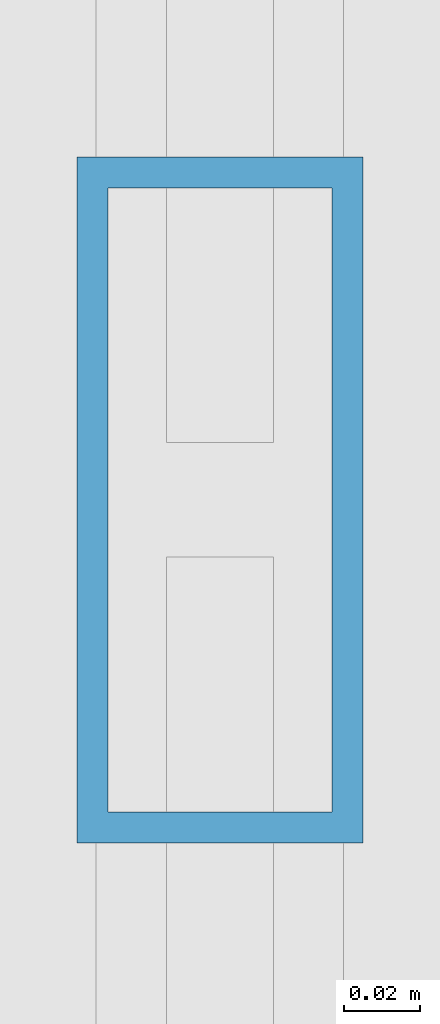
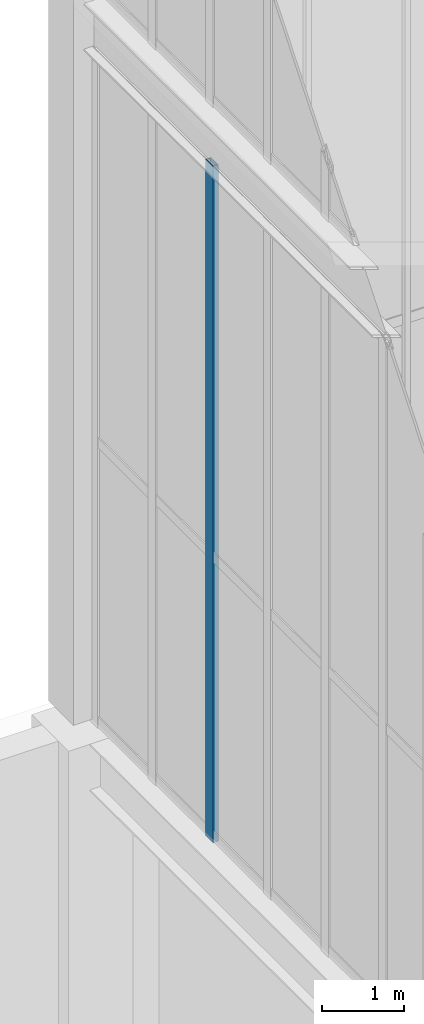
# One storey, part 101 of 135: 1 member, 1 element without a shape of its own.
"""IFC4 building model written with IfcOpenShell, lengths in metres."""

from ifc_helpers import new_model, si_unit, direction, frame, origin, origin_2d, place, context, subcontext, project, spatial, hollow_rectangle, extrude, source, transform, mapped, material, layer, layer_set, material_profile, profile_set, type_object, element, aggregate, save


model = new_model("IFC4")

# Units and contexts
model_context = context("Model", 3, precision=1e-05, world=origin(), true_north=direction((0.0, 1.0)))
body_context = subcontext(model_context, "Body", "Model", "MODEL_VIEW")
ifc_project = project(units=[si_unit("LENGTHUNIT", "METRE"), si_unit("AREAUNIT", "SQUARE_METRE"), si_unit("VOLUMEUNIT", "CUBIC_METRE"), si_unit("PLANEANGLEUNIT", "RADIAN"), si_unit("MASSUNIT", "GRAM", prefix="KILO")], contexts=[model_context])

# Site, building, storey
site_placement = place(None, origin())
site = spatial("IfcSite", under=ifc_project, at=site_placement, CompositionType="ELEMENT")
building_placement = place(site_placement, origin())
building = spatial("IfcBuilding", under=site, at=building_placement, Name="Giltprow Tower", CompositionType="ELEMENT")
storey_placement = place(building_placement, frame((0.0, 0.0, 352.699951171875)))
storey = spatial("IfcBuildingStorey", under=building, at=storey_placement, Name="L92", CompositionType="ELEMENT", Elevation=352.699951171875)

# Curtain wall, member
ifc_material = material(Name="Anodized bronze", Category="metal")
ifc_layer = layer(ifc_material, 0.179931640625, Name="Anodized bronze")
ifc_layer_set = layer_set([ifc_layer], Name="Anodized bronze")
curtain_wall_type = type_object("IfcCurtainWallType", Name="CW-CROWN-LANTERN", PredefinedType="NOTDEFINED", material=ifc_layer_set)
curtain_wall_placement = place(storey_placement, origin())
curtain_wall = element("IfcCurtainWall", 1, at=curtain_wall_placement, inside=storey, type_object=curtain_wall_type, Name="Crown East Lower Lantern Glazing 5", PredefinedType="NOTDEFINED")
ifc_material_profile = material_profile(ifc_material, hollow_rectangle(XDim=0.074951171875, YDim=0.179931640625, WallThickness=0.008056640625, at=origin_2d()), Name="RHS 180x75x8")
ifc_profile_set = profile_set([ifc_material_profile], Name="Anodized bronze")
member_type = type_object("IfcMemberType", Name="CW-MULLION-180x75", PredefinedType="MULLION", material=ifc_profile_set)
shared_shape = source(origin(), body_context, "Body", "SweptSolid", [
    extrude(hollow_rectangle(XDim=0.074951171875, YDim=0.179931640625, WallThickness=0.008056640625, at=origin_2d()), origin(), (0.0, 0.0, 1.0), 10.030029296875),
])
member_placement = place(storey_placement, frame((44.300048828125, 43.39990234375, 6.35009765625), z_axis=(0.0, 0.0, 1.0), x_axis=(1.0, 0.0, 0.0)))
member = element("IfcMember", 2, at=member_placement, type_object=member_type, Name="Crown East Lower Lantern Glazing 5 Mullion 3", PredefinedType="MULLION", context=body_context, shape_type="MappedRepresentation", body=[
    mapped(shared_shape, transform((0.0, 0.0, 0.0), x_axis=(1.0, 0.0, 0.0), y_axis=(0.0, 1.0, 0.0), z_axis=(0.0, 0.0, 1.0), scale=1.0)),
])
aggregate(curtain_wall, [member])

save(model, "model.ifc")
